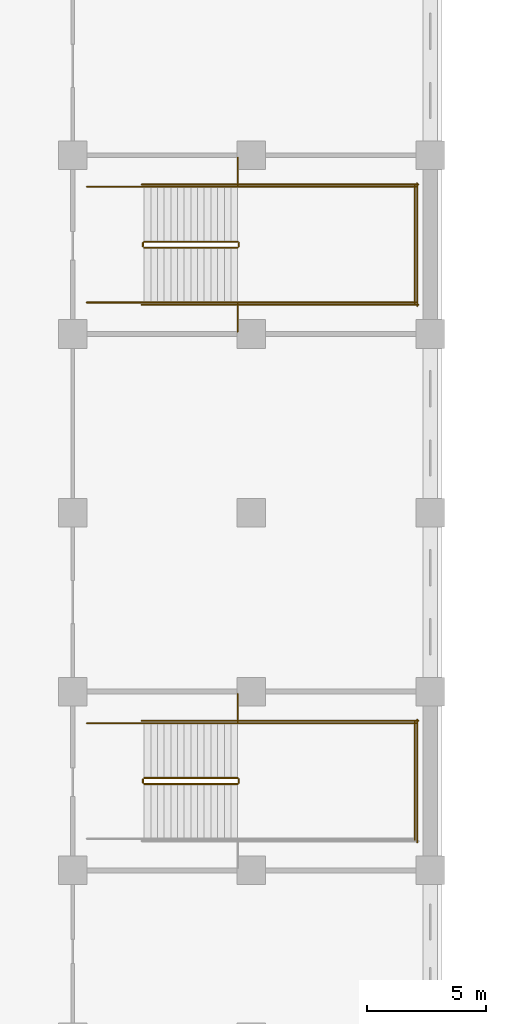
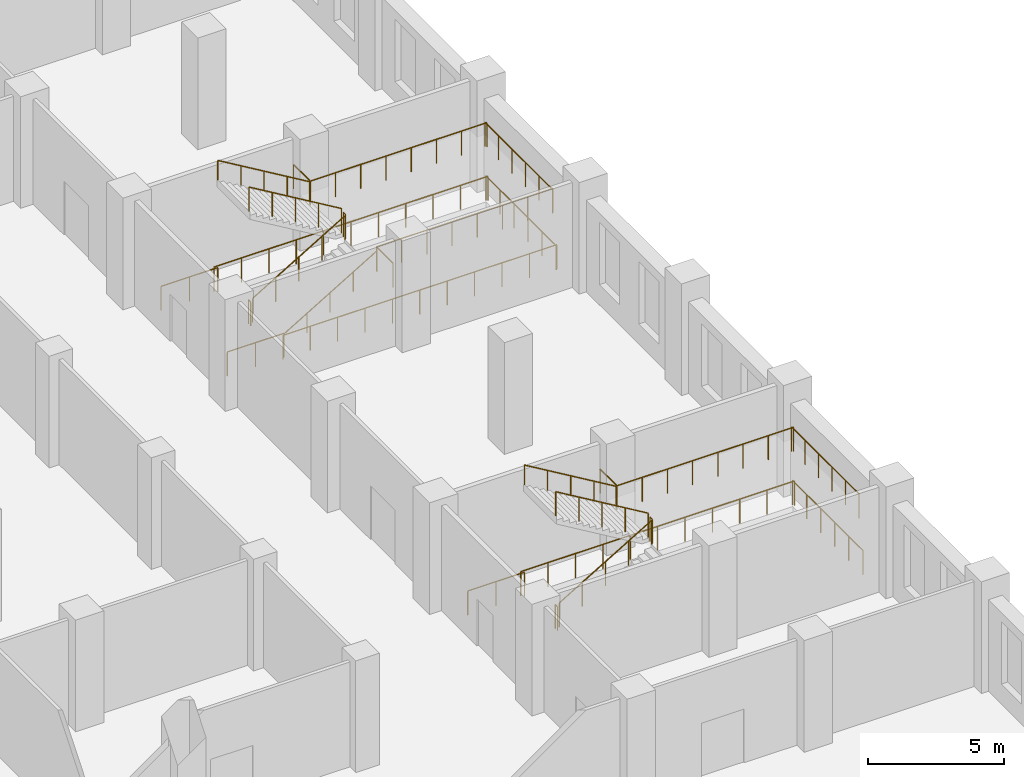
# One storey, part 24 of 32: 27 railings.
"""IFC4 building model written with IfcOpenShell, lengths in metres."""

from ifc_helpers import new_model, si_unit, direction, frame, origin, origin_2d, place, context, subcontext, project, spatial, circle, extrude, material, type_object, element, save


model = new_model("IFC4")

# Units and contexts
model_context = context("Model", 3, precision=1e-05, world=origin(), true_north=direction((0.0, 1.0)))
body_context = subcontext(model_context, "Body", "Model", "MODEL_VIEW")
ifc_project = project(units=[si_unit("LENGTHUNIT", "METRE"), si_unit("AREAUNIT", "SQUARE_METRE"), si_unit("VOLUMEUNIT", "CUBIC_METRE"), si_unit("PLANEANGLEUNIT", "RADIAN"), si_unit("MASSUNIT", "GRAM", prefix="KILO")], contexts=[model_context])

# Site, building, storey
site_placement = place(None, origin())
site = spatial("IfcSite", under=ifc_project, at=site_placement, CompositionType="ELEMENT")
building_placement = place(site_placement, origin())
building = spatial("IfcBuilding", under=site, at=building_placement, Name="Tamorin Gate", CompositionType="ELEMENT")
storey_placement = place(building_placement, frame((0.0, 0.0, 18.5)))
storey = spatial("IfcBuildingStorey", under=building, at=storey_placement, Name="L03", CompositionType="ELEMENT", Elevation=18.5)

# Railings
ifc_material = material(Name="Steel", Category="steel")
railing_type_1 = type_object("IfcRailingType", Name="Podium guard 1100", PredefinedType="GUARDRAIL", material=ifc_material)
railing_1_placement = place(storey_placement, frame((100.0, 56.125, 0.166748046875)))
element("IfcRailing", 1, at=railing_1_placement, inside=storey, type_object=railing_type_1, Name="L03 PS3 stair guard 1", PredefinedType="GUARDRAIL", context=body_context, shape_type="SweptSolid", body=[
    extrude(circle(Radius=0.02392578125, at=origin_2d()), frame((0.0, 0.0, 1.076171875), z_axis=(0.859296244711, 0.0, 0.511478214419), x_axis=(0.0, 1.0, 0.0)), (0.0, 0.0, 1.0), 4.561767578125),
    extrude(circle(Radius=0.02099609375, at=origin_2d()), origin(), (0.0, 0.0, 1.0), 1.052001953125),
    extrude(circle(Radius=0.02099609375, at=origin_2d()), frame((0.97998046875, 0.0, 0.583251953125)), (0.0, 0.0, 1.0), 1.052001953125),
    extrude(circle(Radius=0.02099609375, at=origin_2d()), frame((1.9599609375, 0.0, 1.16650390625)), (0.0, 0.0, 1.0), 1.052001953125),
    extrude(circle(Radius=0.02099609375, at=origin_2d()), frame((2.93994140625, 0.0, 1.75)), (0.0, 0.0, 1.0), 1.052001953125),
    extrude(circle(Radius=0.02099609375, at=origin_2d()), frame((3.919921875, 0.0, 2.333251953125)), (0.0, 0.0, 1.0), 1.052001953125),
])
railing_2_placement = place(storey_placement, frame((103.969970703125, 56.175048828125, 2.5)))
element("IfcRailing", 2, at=railing_2_placement, inside=storey, type_object=railing_type_1, Name="L03 PS3 stair guard 2", PredefinedType="GUARDRAIL", context=body_context, shape_type="SweptSolid", body=[
    extrude(circle(Radius=0.02392578125, at=origin_2d()), frame((0.0, 0.0, 1.076171875), z_axis=(0.0, 1.0, 0.0), x_axis=(-1.0, 0.0, 0.0)), (0.0, 0.0, 1.0), 0.14990234375),
    extrude(circle(Radius=0.02099609375, at=origin_2d()), origin(), (0.0, 0.0, 1.0), 1.052001953125),
    extrude(circle(Radius=0.02099609375, at=origin_2d()), frame((0.0, 0.14990234375, 0.0)), (0.0, 0.0, 1.0), 1.052001953125),
])
railing_3_placement = place(storey_placement, frame((103.919921875, 58.675048828125, 2.5)))
element("IfcRailing", 3, at=railing_3_placement, inside=storey, type_object=railing_type_1, Name="L03 PS3 stair guard 4", PredefinedType="GUARDRAIL", context=body_context, shape_type="SweptSolid", body=[
    extrude(circle(Radius=0.02392578125, at=origin_2d()), frame((0.0, 0.0, 1.076171875), z_axis=(1.0, 0.0, 0.0), x_axis=(0.0, 1.0, 0.0)), (0.0, 0.0, 1.0), 7.47998046875),
    extrude(circle(Radius=0.02099609375, at=origin_2d()), origin(), (0.0, 0.0, 1.0), 1.052001953125),
    extrude(circle(Radius=0.02099609375, at=origin_2d()), frame((1.068603515625, 0.0, 0.0)), (0.0, 0.0, 1.0), 1.052001953125),
    extrude(circle(Radius=0.02099609375, at=origin_2d()), frame((2.13720703125, 0.0, 0.0)), (0.0, 0.0, 1.0), 1.052001953125),
    extrude(circle(Radius=0.02099609375, at=origin_2d()), frame((3.205810546875, 0.0, 0.0)), (0.0, 0.0, 1.0), 1.052001953125),
    extrude(circle(Radius=0.02099609375, at=origin_2d()), frame((4.274169921875, 0.0, 0.0)), (0.0, 0.0, 1.0), 1.052001953125),
    extrude(circle(Radius=0.02099609375, at=origin_2d()), frame((5.3427734375, 0.0, 0.0)), (0.0, 0.0, 1.0), 1.052001953125),
    extrude(circle(Radius=0.02099609375, at=origin_2d()), frame((6.411376953125, 0.0, 0.0)), (0.0, 0.0, 1.0), 1.052001953125),
    extrude(circle(Radius=0.02099609375, at=origin_2d()), frame((7.47998046875, 0.0, 0.0)), (0.0, 0.0, 1.0), 1.052001953125),
])
railing_4_placement = place(storey_placement, frame((111.35009765625, 53.77490234375, 2.5)))
element("IfcRailing", 4, at=railing_4_placement, inside=storey, type_object=railing_type_1, Name="L03 PS3 stair guard 5", PredefinedType="GUARDRAIL", context=body_context, shape_type="SweptSolid", body=[
    extrude(circle(Radius=0.02392578125, at=origin_2d()), frame((0.0, 0.0, 1.076171875), z_axis=(0.0, 1.0, 0.0), x_axis=(-1.0, 0.0, 0.0)), (0.0, 0.0, 1.0), 4.9501953125),
    extrude(circle(Radius=0.02099609375, at=origin_2d()), origin(), (0.0, 0.0, 1.0), 1.052001953125),
    extrude(circle(Radius=0.02099609375, at=origin_2d()), frame((0.0, 0.989990234375, 0.0)), (0.0, 0.0, 1.0), 1.052001953125),
    extrude(circle(Radius=0.02099609375, at=origin_2d()), frame((0.0, 1.97998046875, 0.0)), (0.0, 0.0, 1.0), 1.052001953125),
    extrude(circle(Radius=0.02099609375, at=origin_2d()), frame((0.0, 2.97021484375, 0.0)), (0.0, 0.0, 1.0), 1.052001953125),
    extrude(circle(Radius=0.02099609375, at=origin_2d()), frame((0.0, 3.960205078125, 0.0)), (0.0, 0.0, 1.0), 1.052001953125),
    extrude(circle(Radius=0.02099609375, at=origin_2d()), frame((0.0, 4.9501953125, 0.0)), (0.0, 0.0, 1.0), 1.052001953125),
])
railing_5_placement = place(storey_placement, frame((103.919921875, 56.375, 2.666748046875)))
element("IfcRailing", 5, at=railing_5_placement, inside=storey, type_object=railing_type_1, Name="L03 PS3 stair guard 6", PredefinedType="GUARDRAIL", context=body_context, shape_type="SweptSolid", body=[
    extrude(circle(Radius=0.02392578125, at=origin_2d()), frame((0.0, 0.0, 1.076171875), z_axis=(-0.859296244711, 0.0, 0.511478214419), x_axis=(0.0, -1.0, 0.0)), (0.0, 0.0, 1.0), 4.561767578125),
    extrude(circle(Radius=0.02099609375, at=origin_2d()), origin(), (0.0, 0.0, 1.0), 1.052001953125),
    extrude(circle(Radius=0.02099609375, at=origin_2d()), frame((-0.97998046875, 0.0, 0.583251953125)), (0.0, 0.0, 1.0), 1.052001953125),
    extrude(circle(Radius=0.02099609375, at=origin_2d()), frame((-1.9599609375, 0.0, 1.16650390625)), (0.0, 0.0, 1.0), 1.052001953125),
    extrude(circle(Radius=0.02099609375, at=origin_2d()), frame((-2.93994140625, 0.0, 1.75)), (0.0, 0.0, 1.0), 1.052001953125),
    extrude(circle(Radius=0.02099609375, at=origin_2d()), frame((-3.919921875, 0.0, 2.333251953125)), (0.0, 0.0, 1.0), 1.052001953125),
])
railing_6_placement = place(storey_placement, frame((99.949951171875, 56.175048828125, 0.0)))
element("IfcRailing", 6, at=railing_6_placement, inside=storey, type_object=railing_type_1, Name="L03 PS3 stair guard 7", PredefinedType="GUARDRAIL", context=body_context, shape_type="SweptSolid", body=[
    extrude(circle(Radius=0.02392578125, at=origin_2d()), frame((0.0, 0.0, 1.076171875), z_axis=(0.0, 1.0, 0.0), x_axis=(-1.0, 0.0, 0.0)), (0.0, 0.0, 1.0), 0.14990234375),
    extrude(circle(Radius=0.02099609375, at=origin_2d()), origin(), (0.0, 0.0, 1.0), 1.052001953125),
    extrude(circle(Radius=0.02099609375, at=origin_2d()), frame((0.0, 0.14990234375, 0.0)), (0.0, 0.0, 1.0), 1.052001953125),
])
railing_7_placement = place(storey_placement, frame((97.60009765625, 58.675048828125, 0.0)))
element("IfcRailing", 7, at=railing_7_placement, inside=storey, type_object=railing_type_1, Name="L03 PS3 stair guard 9", PredefinedType="GUARDRAIL", context=body_context, shape_type="SweptSolid", body=[
    extrude(circle(Radius=0.02392578125, at=origin_2d()), frame((0.0, 0.0, 1.076171875), z_axis=(1.0, 0.0, 0.0), x_axis=(0.0, 1.0, 0.0)), (0.0, 0.0, 1.0), 2.39990234375),
    extrude(circle(Radius=0.02099609375, at=origin_2d()), origin(), (0.0, 0.0, 1.0), 1.052001953125),
    extrude(circle(Radius=0.02099609375, at=origin_2d()), frame((1.199951171875, 0.0, 0.0)), (0.0, 0.0, 1.0), 1.052001953125),
    extrude(circle(Radius=0.02099609375, at=origin_2d()), frame((2.39990234375, 0.0, 0.0)), (0.0, 0.0, 1.0), 1.052001953125),
])
railing_8_placement = place(storey_placement, frame((99.89990234375, 58.77490234375, 0.0)))
element("IfcRailing", 8, at=railing_8_placement, inside=storey, type_object=railing_type_1, Name="L03 PS3 stair guard 11", PredefinedType="GUARDRAIL", context=body_context, shape_type="SweptSolid", body=[
    extrude(circle(Radius=0.02392578125, at=origin_2d()), frame((0.0, 0.0, 1.076171875), z_axis=(1.0, 0.0, 0.0), x_axis=(0.0, 1.0, 0.0)), (0.0, 0.0, 1.0), 11.60009765625),
    extrude(circle(Radius=0.02099609375, at=origin_2d()), origin(), (0.0, 0.0, 1.0), 1.052001953125),
    extrude(circle(Radius=0.02099609375, at=origin_2d()), frame((1.159912109375, 0.0, 0.0)), (0.0, 0.0, 1.0), 1.052001953125),
    extrude(circle(Radius=0.02099609375, at=origin_2d()), frame((2.320068359375, 0.0, 0.0)), (0.0, 0.0, 1.0), 1.052001953125),
    extrude(circle(Radius=0.02099609375, at=origin_2d()), frame((3.47998046875, 0.0, 0.0)), (0.0, 0.0, 1.0), 1.052001953125),
    extrude(circle(Radius=0.02099609375, at=origin_2d()), frame((4.64013671875, 0.0, 0.0)), (0.0, 0.0, 1.0), 1.052001953125),
    extrude(circle(Radius=0.02099609375, at=origin_2d()), frame((5.800048828125, 0.0, 0.0)), (0.0, 0.0, 1.0), 1.052001953125),
    extrude(circle(Radius=0.02099609375, at=origin_2d()), frame((6.9599609375, 0.0, 0.0)), (0.0, 0.0, 1.0), 1.052001953125),
    extrude(circle(Radius=0.02099609375, at=origin_2d()), frame((8.1201171875, 0.0, 0.0)), (0.0, 0.0, 1.0), 1.052001953125),
    extrude(circle(Radius=0.02099609375, at=origin_2d()), frame((9.280029296875, 0.0, 0.0)), (0.0, 0.0, 1.0), 1.052001953125),
    extrude(circle(Radius=0.02099609375, at=origin_2d()), frame((10.440185546875, 0.0, 0.0)), (0.0, 0.0, 1.0), 1.052001953125),
    extrude(circle(Radius=0.02099609375, at=origin_2d()), frame((11.60009765625, 0.0, 0.0)), (0.0, 0.0, 1.0), 1.052001953125),
])
railing_9_placement = place(storey_placement, frame((111.449951171875, 53.675048828125, 0.0)))
element("IfcRailing", 9, at=railing_9_placement, inside=storey, type_object=railing_type_1, Name="L03 PS3 stair guard 12", PredefinedType="GUARDRAIL", context=body_context, shape_type="SweptSolid", body=[
    extrude(circle(Radius=0.02392578125, at=origin_2d()), frame((0.0, 0.0, 1.076171875), z_axis=(0.0, 1.0, 0.0), x_axis=(-1.0, 0.0, 0.0)), (0.0, 0.0, 1.0), 5.14990234375),
    extrude(circle(Radius=0.02099609375, at=origin_2d()), origin(), (0.0, 0.0, 1.0), 1.052001953125),
    extrude(circle(Radius=0.02099609375, at=origin_2d()), frame((0.0, 1.030029296875, 0.0)), (0.0, 0.0, 1.0), 1.052001953125),
    extrude(circle(Radius=0.02099609375, at=origin_2d()), frame((0.0, 2.06005859375, 0.0)), (0.0, 0.0, 1.0), 1.052001953125),
    extrude(circle(Radius=0.02099609375, at=origin_2d()), frame((0.0, 3.08984375, 0.0)), (0.0, 0.0, 1.0), 1.052001953125),
    extrude(circle(Radius=0.02099609375, at=origin_2d()), frame((0.0, 4.119873046875, 0.0)), (0.0, 0.0, 1.0), 1.052001953125),
    extrude(circle(Radius=0.02099609375, at=origin_2d()), frame((0.0, 5.14990234375, 0.0)), (0.0, 0.0, 1.0), 1.052001953125),
])
railing_10_placement = place(storey_placement, frame((103.919921875, 58.72509765625, 2.5)))
element("IfcRailing", 10, at=railing_10_placement, inside=storey, type_object=railing_type_1, Name="Landing edge guard", PredefinedType="GUARDRAIL", context=body_context, shape_type="SweptSolid", body=[
    extrude(circle(Radius=0.02392578125, at=origin_2d()), frame((0.0, 0.0, 1.076171875), z_axis=(0.0, 1.0, 0.0), x_axis=(-1.0, 0.0, 0.0)), (0.0, 0.0, 1.0), 1.1748046875),
    extrude(circle(Radius=0.02099609375, at=origin_2d()), origin(), (0.0, 0.0, 1.0), 1.052001953125),
    extrude(circle(Radius=0.02099609375, at=origin_2d()), frame((0.0, 1.1748046875, 0.0)), (0.0, 0.0, 1.0), 1.052001953125),
])
railing_11_placement = place(storey_placement, frame((100.0, 78.625, 0.166748046875)))
element("IfcRailing", 11, at=railing_11_placement, inside=storey, type_object=railing_type_1, Name="L03 PS5 stair guard 1", PredefinedType="GUARDRAIL", context=body_context, shape_type="SweptSolid", body=[
    extrude(circle(Radius=0.02392578125, at=origin_2d()), frame((0.0, 0.0, 1.076171875), z_axis=(0.859296244711, 0.0, 0.511478214419), x_axis=(0.0, 1.0, 0.0)), (0.0, 0.0, 1.0), 4.561767578125),
    extrude(circle(Radius=0.02099609375, at=origin_2d()), origin(), (0.0, 0.0, 1.0), 1.052001953125),
    extrude(circle(Radius=0.02099609375, at=origin_2d()), frame((0.97998046875, 0.0, 0.583251953125)), (0.0, 0.0, 1.0), 1.052001953125),
    extrude(circle(Radius=0.02099609375, at=origin_2d()), frame((1.9599609375, 0.0, 1.16650390625)), (0.0, 0.0, 1.0), 1.052001953125),
    extrude(circle(Radius=0.02099609375, at=origin_2d()), frame((2.93994140625, 0.0, 1.75)), (0.0, 0.0, 1.0), 1.052001953125),
    extrude(circle(Radius=0.02099609375, at=origin_2d()), frame((3.919921875, 0.0, 2.333251953125)), (0.0, 0.0, 1.0), 1.052001953125),
])
railing_12_placement = place(storey_placement, frame((103.969970703125, 78.675048828125, 2.5)))
element("IfcRailing", 12, at=railing_12_placement, inside=storey, type_object=railing_type_1, Name="L03 PS5 stair guard 2", PredefinedType="GUARDRAIL", context=body_context, shape_type="SweptSolid", body=[
    extrude(circle(Radius=0.02392578125, at=origin_2d()), frame((0.0, 0.0, 1.076171875), z_axis=(0.0, 1.0, 0.0), x_axis=(-1.0, 0.0, 0.0)), (0.0, 0.0, 1.0), 0.14990234375),
    extrude(circle(Radius=0.02099609375, at=origin_2d()), origin(), (0.0, 0.0, 1.0), 1.052001953125),
    extrude(circle(Radius=0.02099609375, at=origin_2d()), frame((0.0, 0.14990234375, 0.0)), (0.0, 0.0, 1.0), 1.052001953125),
])
for number, where, name in (
    (13, (103.919921875, 76.324951171875, 2.5), "L03 PS5 stair guard 3"),
    (14, (103.919921875, 81.175048828125, 2.5), "L03 PS5 stair guard 4"),
):
    element("IfcRailing", number, at=place(storey_placement, frame(where)), inside=storey, type_object=railing_type_1, Name=name, PredefinedType="GUARDRAIL", context=body_context, shape_type="SweptSolid", body=[
        extrude(circle(Radius=0.02392578125, at=origin_2d()), frame((0.0, 0.0, 1.076171875), z_axis=(1.0, 0.0, 0.0), x_axis=(0.0, 1.0, 0.0)), (0.0, 0.0, 1.0), 7.47998046875),
        extrude(circle(Radius=0.02099609375, at=origin_2d()), origin(), (0.0, 0.0, 1.0), 1.052001953125),
        extrude(circle(Radius=0.02099609375, at=origin_2d()), frame((1.068603515625, 0.0, 0.0)), (0.0, 0.0, 1.0), 1.052001953125),
        extrude(circle(Radius=0.02099609375, at=origin_2d()), frame((2.13720703125, 0.0, 0.0)), (0.0, 0.0, 1.0), 1.052001953125),
        extrude(circle(Radius=0.02099609375, at=origin_2d()), frame((3.205810546875, 0.0, 0.0)), (0.0, 0.0, 1.0), 1.052001953125),
        extrude(circle(Radius=0.02099609375, at=origin_2d()), frame((4.274169921875, 0.0, 0.0)), (0.0, 0.0, 1.0), 1.052001953125),
        extrude(circle(Radius=0.02099609375, at=origin_2d()), frame((5.3427734375, 0.0, 0.0)), (0.0, 0.0, 1.0), 1.052001953125),
        extrude(circle(Radius=0.02099609375, at=origin_2d()), frame((6.411376953125, 0.0, 0.0)), (0.0, 0.0, 1.0), 1.052001953125),
        extrude(circle(Radius=0.02099609375, at=origin_2d()), frame((7.47998046875, 0.0, 0.0)), (0.0, 0.0, 1.0), 1.052001953125),
    ])
railing_13_placement = place(storey_placement, frame((111.35009765625, 76.27490234375, 2.5)))
element("IfcRailing", 15, at=railing_13_placement, inside=storey, type_object=railing_type_1, Name="L03 PS5 stair guard 5", PredefinedType="GUARDRAIL", context=body_context, shape_type="SweptSolid", body=[
    extrude(circle(Radius=0.02392578125, at=origin_2d()), frame((0.0, 0.0, 1.076171875), z_axis=(0.0, 1.0, 0.0), x_axis=(-1.0, 0.0, 0.0)), (0.0, 0.0, 1.0), 4.9501953125),
    extrude(circle(Radius=0.02099609375, at=origin_2d()), origin(), (0.0, 0.0, 1.0), 1.052001953125),
    extrude(circle(Radius=0.02099609375, at=origin_2d()), frame((0.0, 0.989990234375, 0.0)), (0.0, 0.0, 1.0), 1.052001953125),
    extrude(circle(Radius=0.02099609375, at=origin_2d()), frame((0.0, 1.97998046875, 0.0)), (0.0, 0.0, 1.0), 1.052001953125),
    extrude(circle(Radius=0.02099609375, at=origin_2d()), frame((0.0, 2.97021484375, 0.0)), (0.0, 0.0, 1.0), 1.052001953125),
    extrude(circle(Radius=0.02099609375, at=origin_2d()), frame((0.0, 3.960205078125, 0.0)), (0.0, 0.0, 1.0), 1.052001953125),
    extrude(circle(Radius=0.02099609375, at=origin_2d()), frame((0.0, 4.9501953125, 0.0)), (0.0, 0.0, 1.0), 1.052001953125),
])
railing_14_placement = place(storey_placement, frame((103.919921875, 78.875, 2.666748046875)))
element("IfcRailing", 16, at=railing_14_placement, inside=storey, type_object=railing_type_1, Name="L03 PS5 stair guard 6", PredefinedType="GUARDRAIL", context=body_context, shape_type="SweptSolid", body=[
    extrude(circle(Radius=0.02392578125, at=origin_2d()), frame((0.0, 0.0, 1.076171875), z_axis=(-0.859296244711, 0.0, 0.511478214419), x_axis=(0.0, -1.0, 0.0)), (0.0, 0.0, 1.0), 4.561767578125),
    extrude(circle(Radius=0.02099609375, at=origin_2d()), origin(), (0.0, 0.0, 1.0), 1.052001953125),
    extrude(circle(Radius=0.02099609375, at=origin_2d()), frame((-0.97998046875, 0.0, 0.583251953125)), (0.0, 0.0, 1.0), 1.052001953125),
    extrude(circle(Radius=0.02099609375, at=origin_2d()), frame((-1.9599609375, 0.0, 1.16650390625)), (0.0, 0.0, 1.0), 1.052001953125),
    extrude(circle(Radius=0.02099609375, at=origin_2d()), frame((-2.93994140625, 0.0, 1.75)), (0.0, 0.0, 1.0), 1.052001953125),
    extrude(circle(Radius=0.02099609375, at=origin_2d()), frame((-3.919921875, 0.0, 2.333251953125)), (0.0, 0.0, 1.0), 1.052001953125),
])
railing_15_placement = place(storey_placement, frame((99.949951171875, 78.675048828125, 0.0)))
element("IfcRailing", 17, at=railing_15_placement, inside=storey, type_object=railing_type_1, Name="L03 PS5 stair guard 7", PredefinedType="GUARDRAIL", context=body_context, shape_type="SweptSolid", body=[
    extrude(circle(Radius=0.02392578125, at=origin_2d()), frame((0.0, 0.0, 1.076171875), z_axis=(0.0, 1.0, 0.0), x_axis=(-1.0, 0.0, 0.0)), (0.0, 0.0, 1.0), 0.14990234375),
    extrude(circle(Radius=0.02099609375, at=origin_2d()), origin(), (0.0, 0.0, 1.0), 1.052001953125),
    extrude(circle(Radius=0.02099609375, at=origin_2d()), frame((0.0, 0.14990234375, 0.0)), (0.0, 0.0, 1.0), 1.052001953125),
])
for number, where, name in (
    (18, (97.60009765625, 76.324951171875, 0.0), "L03 PS5 stair guard 8"),
    (19, (97.60009765625, 81.175048828125, 0.0), "L03 PS5 stair guard 9"),
):
    element("IfcRailing", number, at=place(storey_placement, frame(where)), inside=storey, type_object=railing_type_1, Name=name, PredefinedType="GUARDRAIL", context=body_context, shape_type="SweptSolid", body=[
        extrude(circle(Radius=0.02392578125, at=origin_2d()), frame((0.0, 0.0, 1.076171875), z_axis=(1.0, 0.0, 0.0), x_axis=(0.0, 1.0, 0.0)), (0.0, 0.0, 1.0), 2.39990234375),
        extrude(circle(Radius=0.02099609375, at=origin_2d()), origin(), (0.0, 0.0, 1.0), 1.052001953125),
        extrude(circle(Radius=0.02099609375, at=origin_2d()), frame((1.199951171875, 0.0, 0.0)), (0.0, 0.0, 1.0), 1.052001953125),
        extrude(circle(Radius=0.02099609375, at=origin_2d()), frame((2.39990234375, 0.0, 0.0)), (0.0, 0.0, 1.0), 1.052001953125),
    ])
for number, where, name in (
    (20, (99.89990234375, 76.22509765625, 0.0), "L03 PS5 stair guard 10"),
    (21, (99.89990234375, 81.27490234375, 0.0), "L03 PS5 stair guard 11"),
):
    element("IfcRailing", number, at=place(storey_placement, frame(where)), inside=storey, type_object=railing_type_1, Name=name, PredefinedType="GUARDRAIL", context=body_context, shape_type="SweptSolid", body=[
        extrude(circle(Radius=0.02392578125, at=origin_2d()), frame((0.0, 0.0, 1.076171875), z_axis=(1.0, 0.0, 0.0), x_axis=(0.0, 1.0, 0.0)), (0.0, 0.0, 1.0), 11.60009765625),
        extrude(circle(Radius=0.02099609375, at=origin_2d()), origin(), (0.0, 0.0, 1.0), 1.052001953125),
        extrude(circle(Radius=0.02099609375, at=origin_2d()), frame((1.159912109375, 0.0, 0.0)), (0.0, 0.0, 1.0), 1.052001953125),
        extrude(circle(Radius=0.02099609375, at=origin_2d()), frame((2.320068359375, 0.0, 0.0)), (0.0, 0.0, 1.0), 1.052001953125),
        extrude(circle(Radius=0.02099609375, at=origin_2d()), frame((3.47998046875, 0.0, 0.0)), (0.0, 0.0, 1.0), 1.052001953125),
        extrude(circle(Radius=0.02099609375, at=origin_2d()), frame((4.64013671875, 0.0, 0.0)), (0.0, 0.0, 1.0), 1.052001953125),
        extrude(circle(Radius=0.02099609375, at=origin_2d()), frame((5.800048828125, 0.0, 0.0)), (0.0, 0.0, 1.0), 1.052001953125),
        extrude(circle(Radius=0.02099609375, at=origin_2d()), frame((6.9599609375, 0.0, 0.0)), (0.0, 0.0, 1.0), 1.052001953125),
        extrude(circle(Radius=0.02099609375, at=origin_2d()), frame((8.1201171875, 0.0, 0.0)), (0.0, 0.0, 1.0), 1.052001953125),
        extrude(circle(Radius=0.02099609375, at=origin_2d()), frame((9.280029296875, 0.0, 0.0)), (0.0, 0.0, 1.0), 1.052001953125),
        extrude(circle(Radius=0.02099609375, at=origin_2d()), frame((10.440185546875, 0.0, 0.0)), (0.0, 0.0, 1.0), 1.052001953125),
        extrude(circle(Radius=0.02099609375, at=origin_2d()), frame((11.60009765625, 0.0, 0.0)), (0.0, 0.0, 1.0), 1.052001953125),
    ])
railing_16_placement = place(storey_placement, frame((111.449951171875, 76.175048828125, 0.0)))
element("IfcRailing", 22, at=railing_16_placement, inside=storey, type_object=railing_type_1, Name="L03 PS5 stair guard 12", PredefinedType="GUARDRAIL", context=body_context, shape_type="SweptSolid", body=[
    extrude(circle(Radius=0.02392578125, at=origin_2d()), frame((0.0, 0.0, 1.076171875), z_axis=(0.0, 1.0, 0.0), x_axis=(-1.0, 0.0, 0.0)), (0.0, 0.0, 1.0), 5.14990234375),
    extrude(circle(Radius=0.02099609375, at=origin_2d()), origin(), (0.0, 0.0, 1.0), 1.052001953125),
    extrude(circle(Radius=0.02099609375, at=origin_2d()), frame((0.0, 1.030029296875, 0.0)), (0.0, 0.0, 1.0), 1.052001953125),
    extrude(circle(Radius=0.02099609375, at=origin_2d()), frame((0.0, 2.06005859375, 0.0)), (0.0, 0.0, 1.0), 1.052001953125),
    extrude(circle(Radius=0.02099609375, at=origin_2d()), frame((0.0, 3.08984375, 0.0)), (0.0, 0.0, 1.0), 1.052001953125),
    extrude(circle(Radius=0.02099609375, at=origin_2d()), frame((0.0, 4.119873046875, 0.0)), (0.0, 0.0, 1.0), 1.052001953125),
    extrude(circle(Radius=0.02099609375, at=origin_2d()), frame((0.0, 5.14990234375, 0.0)), (0.0, 0.0, 1.0), 1.052001953125),
])
for number, where, name in (
    (23, (103.919921875, 75.10009765625, 2.5), "Landing edge guard"),
    (24, (103.919921875, 81.22509765625, 2.5), "Landing edge guard"),
):
    element("IfcRailing", number, at=place(storey_placement, frame(where)), inside=storey, type_object=railing_type_1, Name=name, PredefinedType="GUARDRAIL", context=body_context, shape_type="SweptSolid", body=[
        extrude(circle(Radius=0.02392578125, at=origin_2d()), frame((0.0, 0.0, 1.076171875), z_axis=(0.0, 1.0, 0.0), x_axis=(-1.0, 0.0, 0.0)), (0.0, 0.0, 1.0), 1.1748046875),
        extrude(circle(Radius=0.02099609375, at=origin_2d()), origin(), (0.0, 0.0, 1.0), 1.052001953125),
        extrude(circle(Radius=0.02099609375, at=origin_2d()), frame((0.0, 1.1748046875, 0.0)), (0.0, 0.0, 1.0), 1.052001953125),
    ])
railing_type_2 = type_object("IfcRailingType", Name="Podium stair handrail 900", PredefinedType="HANDRAIL", material=ifc_material)
railing_17_placement = place(storey_placement, frame((103.919921875, 58.675048828125, 2.666748046875)))
element("IfcRailing", 25, at=railing_17_placement, inside=storey, type_object=railing_type_2, Name="L03 PS3 stair handrail 2", PredefinedType="HANDRAIL", context=body_context, shape_type="SweptSolid", body=[
    extrude(circle(Radius=0.02392578125, at=origin_2d()), frame((0.0, 0.0, 0.8759765625), z_axis=(-0.859296244711, 0.0, 0.511478214419), x_axis=(0.0, -1.0, 0.0)), (0.0, 0.0, 1.0), 4.561767578125),
    extrude(circle(Radius=0.02099609375, at=origin_2d()), origin(), (0.0, 0.0, 1.0), 0.851806640625),
    extrude(circle(Radius=0.02099609375, at=origin_2d()), frame((-0.97998046875, 0.0, 0.583251953125)), (0.0, 0.0, 1.0), 0.851806640625),
    extrude(circle(Radius=0.02099609375, at=origin_2d()), frame((-1.9599609375, 0.0, 1.16650390625)), (0.0, 0.0, 1.0), 0.851806640625),
    extrude(circle(Radius=0.02099609375, at=origin_2d()), frame((-2.93994140625, 0.0, 1.75)), (0.0, 0.0, 1.0), 0.851806640625),
    extrude(circle(Radius=0.02099609375, at=origin_2d()), frame((-3.919921875, 0.0, 2.333251953125)), (0.0, 0.0, 1.0), 0.851806640625),
])
railing_18_placement = place(storey_placement, frame((100.0, 76.324951171875, 0.166748046875)))
element("IfcRailing", 26, at=railing_18_placement, inside=storey, type_object=railing_type_2, Name="L03 PS5 stair handrail 1", PredefinedType="HANDRAIL", context=body_context, shape_type="SweptSolid", body=[
    extrude(circle(Radius=0.02392578125, at=origin_2d()), frame((0.0, 0.0, 0.8759765625), z_axis=(0.859296244711, 0.0, 0.511478214419), x_axis=(0.0, 1.0, 0.0)), (0.0, 0.0, 1.0), 4.561767578125),
    extrude(circle(Radius=0.02099609375, at=origin_2d()), origin(), (0.0, 0.0, 1.0), 0.851806640625),
    extrude(circle(Radius=0.02099609375, at=origin_2d()), frame((0.97998046875, 0.0, 0.583251953125)), (0.0, 0.0, 1.0), 0.851806640625),
    extrude(circle(Radius=0.02099609375, at=origin_2d()), frame((1.9599609375, 0.0, 1.16650390625)), (0.0, 0.0, 1.0), 0.851806640625),
    extrude(circle(Radius=0.02099609375, at=origin_2d()), frame((2.93994140625, 0.0, 1.75)), (0.0, 0.0, 1.0), 0.851806640625),
    extrude(circle(Radius=0.02099609375, at=origin_2d()), frame((3.919921875, 0.0, 2.333251953125)), (0.0, 0.0, 1.0), 0.851806640625),
])
railing_19_placement = place(storey_placement, frame((103.919921875, 81.175048828125, 2.666748046875)))
element("IfcRailing", 27, at=railing_19_placement, inside=storey, type_object=railing_type_2, Name="L03 PS5 stair handrail 2", PredefinedType="HANDRAIL", context=body_context, shape_type="SweptSolid", body=[
    extrude(circle(Radius=0.02392578125, at=origin_2d()), frame((0.0, 0.0, 0.8759765625), z_axis=(-0.859296244711, 0.0, 0.511478214419), x_axis=(0.0, -1.0, 0.0)), (0.0, 0.0, 1.0), 4.561767578125),
    extrude(circle(Radius=0.02099609375, at=origin_2d()), origin(), (0.0, 0.0, 1.0), 0.851806640625),
    extrude(circle(Radius=0.02099609375, at=origin_2d()), frame((-0.97998046875, 0.0, 0.583251953125)), (0.0, 0.0, 1.0), 0.851806640625),
    extrude(circle(Radius=0.02099609375, at=origin_2d()), frame((-1.9599609375, 0.0, 1.16650390625)), (0.0, 0.0, 1.0), 0.851806640625),
    extrude(circle(Radius=0.02099609375, at=origin_2d()), frame((-2.93994140625, 0.0, 1.75)), (0.0, 0.0, 1.0), 0.851806640625),
    extrude(circle(Radius=0.02099609375, at=origin_2d()), frame((-3.919921875, 0.0, 2.333251953125)), (0.0, 0.0, 1.0), 0.851806640625),
])

save(model, "model.ifc")
